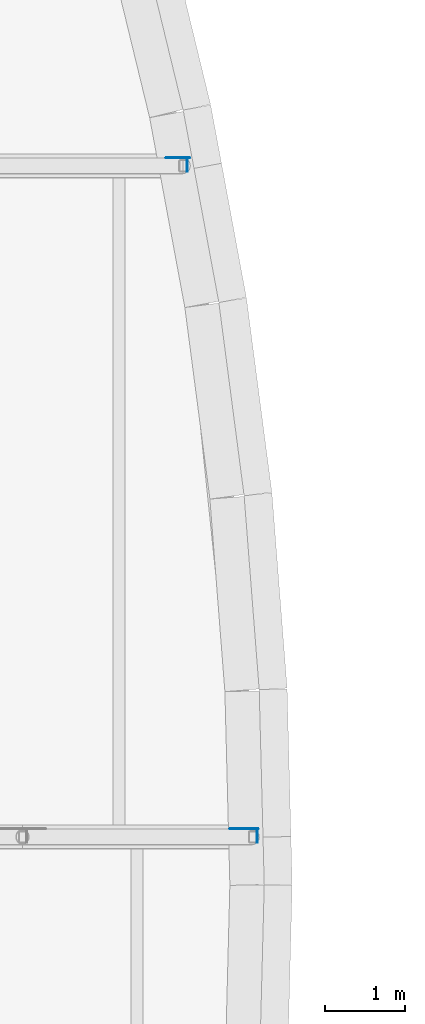
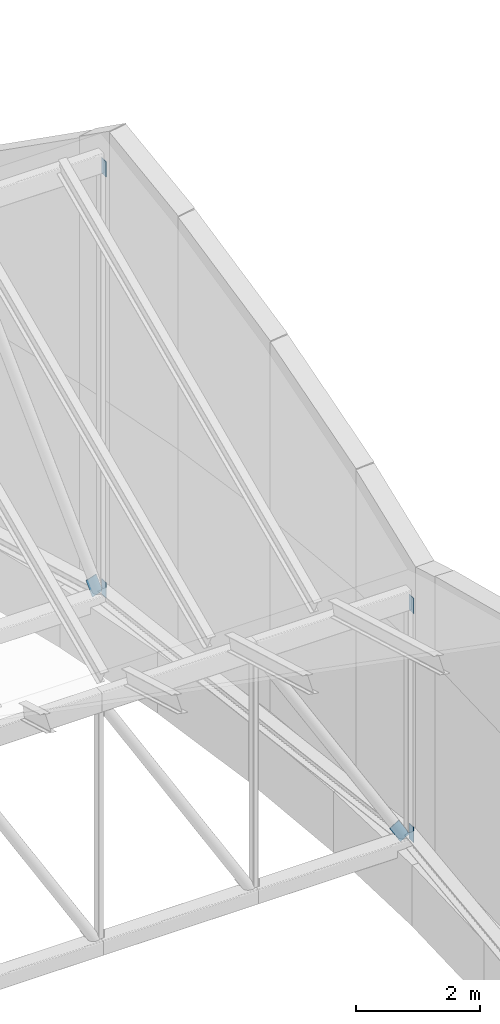
# One storey, part 59 of 68: 6 discrete accessories.
"""IFC4 building model written with IfcOpenShell, lengths in metres."""

from ifc_helpers import new_model, si_unit, direction, frame, origin, origin_2d, place, context, subcontext, project, spatial, rectangle, extrude, material, material_profile, profile_set, type_object, element, save


model = new_model("IFC4")

# Units and contexts
model_context = context("Model", 3, precision=1e-05, world=origin(), true_north=direction((0.0, 1.0)))
body_context = subcontext(model_context, "Body", "Model", "MODEL_VIEW")
ifc_project = project(units=[si_unit("LENGTHUNIT", "METRE"), si_unit("AREAUNIT", "SQUARE_METRE"), si_unit("VOLUMEUNIT", "CUBIC_METRE"), si_unit("PLANEANGLEUNIT", "RADIAN"), si_unit("MASSUNIT", "GRAM", prefix="KILO")], contexts=[model_context])

# Site, building, storey
site_placement = place(None, origin())
site = spatial("IfcSite", under=ifc_project, at=site_placement, CompositionType="ELEMENT")
building_placement = place(site_placement, origin())
building = spatial("IfcBuilding", under=site, at=building_placement, Name="Larchfold Concert Hall", CompositionType="ELEMENT")
storey_placement = place(building_placement, frame((0.0, 0.0, 28.800048828125)))
storey = spatial("IfcBuildingStorey", under=building, at=storey_placement, Name="L06", CompositionType="ELEMENT", Elevation=28.800048828125)

# Discrete accessories
ifc_material_1 = material(Name="Steel S355 galvanised bracket", Category="steel")
ifc_material_profile_1 = material_profile(ifc_material_1, rectangle(XDim=0.011962890625, YDim=0.14990234375, at=origin_2d()))
ifc_profile_set_1 = profile_set([ifc_material_profile_1], Name="Steel S355 galvanised bracket")
discrete_accessory_type_1 = type_object("IfcDiscreteAccessoryType", Name="Gusset plate 12x150", PredefinedType="BRACKET", material=ifc_profile_set_1)
for number, where, z_axis, x_axis, name in (
    (1, (67.140625, 85.199951171875, 4.800048828125), (0.0, 0.0, -1.0), (1.0, 0.0, 0.0), "Gusset plate GP0339"),
    (2, (67.140625, 85.199951171875, 0.300048828125), (0.0, 0.0, -1.0), (1.0, 0.0, 0.0), "Gusset plate GP0340"),
    (3, (66.2685546875, 93.60009765625, 8.599853515625), (0.0, 0.0, -1.0), (1.0, 0.0, 0.0), "Gusset plate GP0409"),
    (4, (66.2685546875, 93.60009765625, 0.320068359375), (0.0, 0.0, -1.0), (1.0, 0.0, 0.0), "Gusset plate GP0410"),
):
    element("IfcDiscreteAccessory", number, at=place(storey_placement, frame(where, z_axis=z_axis, x_axis=x_axis)), inside=storey, type_object=discrete_accessory_type_1, Name=name, PredefinedType="BRACKET", context=body_context, shape_type="SweptSolid", body=[
        extrude(rectangle(XDim=0.011962890625, YDim=0.14990234375, at=origin_2d()), origin(), (0.0, 0.0, 1.0), 0.300048828125),
    ])
ifc_material_2 = material(Name="Steel S355 galvanised bracket", Category="steel")
ifc_material_profile_2 = material_profile(ifc_material_2, rectangle(XDim=0.011962890625, YDim=0.199951171875, at=origin_2d()))
ifc_profile_set_2 = profile_set([ifc_material_profile_2], Name="Steel S355 galvanised bracket")
discrete_accessory_type_2 = type_object("IfcDiscreteAccessoryType", Name="Gusset plate 12x200", PredefinedType="BRACKET", material=ifc_profile_set_2)
for number, where, z_axis, x_axis, name in (
    (5, (66.875, 85.302734375, 0.349365234375), (0.514681027104, 0.0, -0.857381735482), (0.0, 1.0, 0.0), "Gusset plate GP0374"),
    (6, (66.08740234375, 93.702880859375, 0.3876953125), (0.307518266655, 0.0, -0.951542177559), (0.0, 1.0, 0.0), "Gusset plate GP0444"),
):
    element("IfcDiscreteAccessory", number, at=place(storey_placement, frame(where, z_axis=z_axis, x_axis=x_axis)), inside=storey, type_object=discrete_accessory_type_2, Name=name, PredefinedType="BRACKET", context=body_context, shape_type="SweptSolid", body=[
        extrude(rectangle(XDim=0.011962890625, YDim=0.199951171875, at=origin_2d()), origin(), (0.0, 0.0, 1.0), 0.387451171875),
    ])

save(model, "model.ifc")
